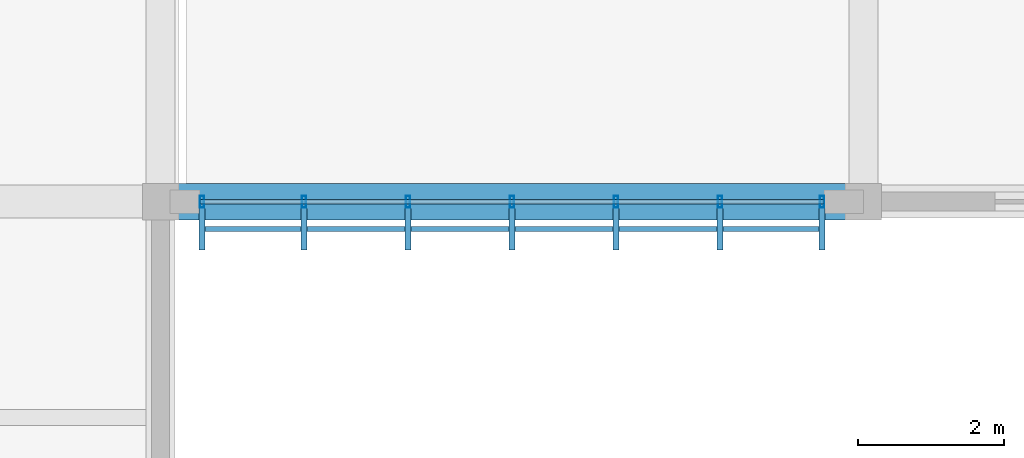
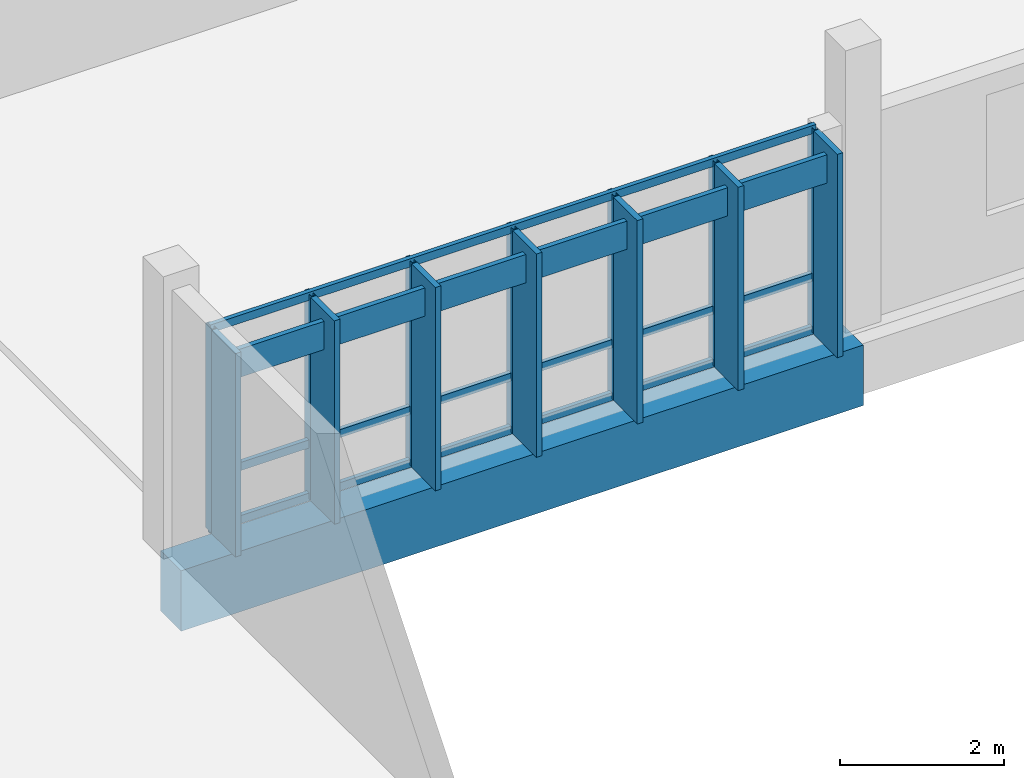
# One storey, part 39 of 107: 18 members, 1 beam, 1 element without a shape of its own.
"""IFC4 building model written with IfcOpenShell, lengths in metres."""

from ifc_helpers import new_model, si_unit, direction, frame, origin, origin_2d, place, context, subcontext, project, spatial, rectangle, hollow_rectangle, extrude, material, material_profile, profile_set, type_object, element, aggregate, save


model = new_model("IFC4")

# Units and contexts
model_context = context("Model", 3, precision=1e-05, world=origin(), true_north=direction((0.0, 1.0)))
body_context = subcontext(model_context, "Body", "Model", "MODEL_VIEW")
ifc_project = project(units=[si_unit("LENGTHUNIT", "METRE"), si_unit("AREAUNIT", "SQUARE_METRE"), si_unit("VOLUMEUNIT", "CUBIC_METRE"), si_unit("PLANEANGLEUNIT", "RADIAN"), si_unit("MASSUNIT", "GRAM", prefix="KILO")], contexts=[model_context])

# Site, building, storey
site_placement = place(None, origin())
site = spatial("IfcSite", under=ifc_project, at=site_placement, CompositionType="ELEMENT")
building_placement = place(site_placement, origin())
building = spatial("IfcBuilding", under=site, at=building_placement, Name="Chiffa Square Polytechnic", CompositionType="ELEMENT")
storey_placement = place(building_placement, frame((0.0, 0.0, 13.800048828125)))
storey = spatial("IfcBuildingStorey", under=building, at=storey_placement, Name="L03", CompositionType="ELEMENT", Elevation=13.800048828125)

# Beam
ifc_material_1 = material(Name="Concrete C40/50", Category="concrete")
ifc_material_profile_1 = material_profile(ifc_material_1, rectangle(XDim=0.5, YDim=0.89990234375, at=origin_2d()), Name="RC 500x900")
ifc_profile_set_1 = profile_set([ifc_material_profile_1], Name="Concrete C40/50")
beam_type = type_object("IfcBeamType", Name="BM-RC-500X900", PredefinedType="BEAM", material=ifc_profile_set_1)
beam_placement = place(storey_placement, frame((48.0, 103.800048828125, -0.7099609375), z_axis=(1.0, 0.0, 0.0), x_axis=(0.0, 1.0, 0.0)))
element("IfcBeam", 1, at=beam_placement, inside=storey, type_object=beam_type, Name="Primary floor girder BM-V5-L03-X-0480-1038", PredefinedType="BEAM", context=body_context, shape_type="SweptSolid", body=[
    extrude(rectangle(XDim=0.5, YDim=0.89990234375, at=origin_2d()), origin(), (0.0, 0.0, 1.0), 9.60009765625),
])

# Curtain wall, members
ifc_material_2 = material(Name="Aluminium EN AW-6060 T66 and glulam shading", Category="wood")
curtain_wall_type = type_object("IfcCurtainWallType", Name="CW-VERT-600X440", PredefinedType="USERDEFINED", material=ifc_material_2)
curtain_wall_placement = place(storey_placement, origin())
curtain_wall = element("IfcCurtainWall", 2, at=curtain_wall_placement, inside=storey, type_object=curtain_wall_type, Name="Curtain wall CW-V5-L03-225", ObjectType="CURTAIN WALL", PredefinedType="USERDEFINED")
ifc_material_3 = material(Name="Aluminium EN AW-6060 T66", Category="aluminium")
ifc_material_profile_2 = material_profile(ifc_material_3, hollow_rectangle(XDim=0.06005859375, YDim=0.159912109375, WallThickness=0.00390625, at=origin_2d()), Name="ALU 60x160x4")
ifc_profile_set_2 = profile_set([ifc_material_profile_2], Name="Aluminium EN AW-6060 T66")
member_type_1 = type_object("IfcMemberType", Name="CWM-ALU-65X150", PredefinedType="MULLION", material=ifc_profile_set_2)
member_1_placement = place(storey_placement, frame((48.56494140625, 103.800048828125, 0.0), z_axis=(0.0, 0.0, 1.0), x_axis=(1.0, 0.0, 0.0)))
member_1 = element("IfcMember", 3, at=member_1_placement, type_object=member_type_1, Name="Curtain wall mullion CW-V5-L03-225-M00", PredefinedType="MULLION", context=body_context, shape_type="SweptSolid", body=[
    extrude(hollow_rectangle(XDim=0.06005859375, YDim=0.159912109375, WallThickness=0.00390625, at=origin_2d()), origin(), (0.0, 0.0, 1.0), 3.044921875),
])
member_2_placement = place(storey_placement, frame((49.9599609375, 103.800048828125, 0.0), z_axis=(0.0, 0.0, 1.0), x_axis=(1.0, 0.0, 0.0)))
member_2 = element("IfcMember", 4, at=member_2_placement, type_object=member_type_1, Name="Curtain wall mullion CW-V5-L03-225-M01", PredefinedType="MULLION", context=body_context, shape_type="SweptSolid", body=[
    extrude(hollow_rectangle(XDim=0.06005859375, YDim=0.159912109375, WallThickness=0.00390625, at=origin_2d()), origin(), (0.0, 0.0, 1.0), 3.044921875),
])
member_3_placement = place(storey_placement, frame((51.3798828125, 103.800048828125, 0.0), z_axis=(0.0, 0.0, 1.0), x_axis=(1.0, 0.0, 0.0)))
member_3 = element("IfcMember", 5, at=member_3_placement, type_object=member_type_1, Name="Curtain wall mullion CW-V5-L03-225-M02", PredefinedType="MULLION", context=body_context, shape_type="SweptSolid", body=[
    extrude(hollow_rectangle(XDim=0.06005859375, YDim=0.159912109375, WallThickness=0.00390625, at=origin_2d()), origin(), (0.0, 0.0, 1.0), 3.044921875),
])
member_4_placement = place(storey_placement, frame((52.800048828125, 103.800048828125, 0.0), z_axis=(0.0, 0.0, 1.0), x_axis=(1.0, 0.0, 0.0)))
member_4 = element("IfcMember", 6, at=member_4_placement, type_object=member_type_1, Name="Curtain wall mullion CW-V5-L03-225-M03", PredefinedType="MULLION", context=body_context, shape_type="SweptSolid", body=[
    extrude(hollow_rectangle(XDim=0.06005859375, YDim=0.159912109375, WallThickness=0.00390625, at=origin_2d()), origin(), (0.0, 0.0, 1.0), 3.044921875),
])
member_5_placement = place(storey_placement, frame((54.219970703125, 103.800048828125, 0.0), z_axis=(0.0, 0.0, 1.0), x_axis=(1.0, 0.0, 0.0)))
member_5 = element("IfcMember", 7, at=member_5_placement, type_object=member_type_1, Name="Curtain wall mullion CW-V5-L03-225-M04", PredefinedType="MULLION", context=body_context, shape_type="SweptSolid", body=[
    extrude(hollow_rectangle(XDim=0.06005859375, YDim=0.159912109375, WallThickness=0.00390625, at=origin_2d()), origin(), (0.0, 0.0, 1.0), 3.044921875),
])
member_6_placement = place(storey_placement, frame((55.639892578125, 103.800048828125, 0.0), z_axis=(0.0, 0.0, 1.0), x_axis=(1.0, 0.0, 0.0)))
member_6 = element("IfcMember", 8, at=member_6_placement, type_object=member_type_1, Name="Curtain wall mullion CW-V5-L03-225-M05", PredefinedType="MULLION", context=body_context, shape_type="SweptSolid", body=[
    extrude(hollow_rectangle(XDim=0.06005859375, YDim=0.159912109375, WallThickness=0.00390625, at=origin_2d()), origin(), (0.0, 0.0, 1.0), 3.044921875),
])
member_7_placement = place(storey_placement, frame((57.034912109375, 103.800048828125, 0.0), z_axis=(0.0, 0.0, 1.0), x_axis=(1.0, 0.0, 0.0)))
member_7 = element("IfcMember", 9, at=member_7_placement, type_object=member_type_1, Name="Curtain wall mullion CW-V5-L03-225-M06", PredefinedType="MULLION", context=body_context, shape_type="SweptSolid", body=[
    extrude(hollow_rectangle(XDim=0.06005859375, YDim=0.159912109375, WallThickness=0.00390625, at=origin_2d()), origin(), (0.0, 0.0, 1.0), 3.044921875),
])
ifc_material_4 = material(Name="Glulam GL28h", Category="wood")
ifc_material_profile_3 = material_profile(ifc_material_4, rectangle(XDim=0.080078125, YDim=0.580078125, at=origin_2d()), Name="GL28h 80x580")
ifc_profile_set_3 = profile_set([ifc_material_profile_3], Name="Glulam GL28h")
member_type_2 = type_object("IfcMemberType", Name="CWM-GL-80X580", PredefinedType="MULLION", material=ifc_profile_set_3)
member_8_placement = place(storey_placement, frame((48.56494140625, 103.427978515625, 0.010009765625), z_axis=(0.0, 0.0, 1.0), x_axis=(1.0, 0.0, 0.0)))
member_8 = element("IfcMember", 10, at=member_8_placement, type_object=member_type_2, Name="Exterior glulam solar fin CW-V5-L03-225-FN00", PredefinedType="MULLION", context=body_context, shape_type="SweptSolid", body=[
    extrude(rectangle(XDim=0.080078125, YDim=0.580078125, at=origin_2d()), origin(), (0.0, 0.0, 1.0), 3.02490234375),
])
member_9_placement = place(storey_placement, frame((49.9599609375, 103.427978515625, 0.010009765625), z_axis=(0.0, 0.0, 1.0), x_axis=(1.0, 0.0, 0.0)))
member_9 = element("IfcMember", 11, at=member_9_placement, type_object=member_type_2, Name="Exterior glulam solar fin CW-V5-L03-225-FN01", PredefinedType="MULLION", context=body_context, shape_type="SweptSolid", body=[
    extrude(rectangle(XDim=0.080078125, YDim=0.580078125, at=origin_2d()), origin(), (0.0, 0.0, 1.0), 3.02490234375),
])
member_10_placement = place(storey_placement, frame((51.3798828125, 103.427978515625, 0.010009765625), z_axis=(0.0, 0.0, 1.0), x_axis=(1.0, 0.0, 0.0)))
member_10 = element("IfcMember", 12, at=member_10_placement, type_object=member_type_2, Name="Exterior glulam solar fin CW-V5-L03-225-FN02", PredefinedType="MULLION", context=body_context, shape_type="SweptSolid", body=[
    extrude(rectangle(XDim=0.080078125, YDim=0.580078125, at=origin_2d()), origin(), (0.0, 0.0, 1.0), 3.02490234375),
])
member_11_placement = place(storey_placement, frame((52.800048828125, 103.427978515625, 0.010009765625), z_axis=(0.0, 0.0, 1.0), x_axis=(1.0, 0.0, 0.0)))
member_11 = element("IfcMember", 13, at=member_11_placement, type_object=member_type_2, Name="Exterior glulam solar fin CW-V5-L03-225-FN03", PredefinedType="MULLION", context=body_context, shape_type="SweptSolid", body=[
    extrude(rectangle(XDim=0.080078125, YDim=0.580078125, at=origin_2d()), origin(), (0.0, 0.0, 1.0), 3.02490234375),
])
member_12_placement = place(storey_placement, frame((54.219970703125, 103.427978515625, 0.010009765625), z_axis=(0.0, 0.0, 1.0), x_axis=(1.0, 0.0, 0.0)))
member_12 = element("IfcMember", 14, at=member_12_placement, type_object=member_type_2, Name="Exterior glulam solar fin CW-V5-L03-225-FN04", PredefinedType="MULLION", context=body_context, shape_type="SweptSolid", body=[
    extrude(rectangle(XDim=0.080078125, YDim=0.580078125, at=origin_2d()), origin(), (0.0, 0.0, 1.0), 3.02490234375),
])
member_13_placement = place(storey_placement, frame((55.639892578125, 103.427978515625, 0.010009765625), z_axis=(0.0, 0.0, 1.0), x_axis=(1.0, 0.0, 0.0)))
member_13 = element("IfcMember", 15, at=member_13_placement, type_object=member_type_2, Name="Exterior glulam solar fin CW-V5-L03-225-FN05", PredefinedType="MULLION", context=body_context, shape_type="SweptSolid", body=[
    extrude(rectangle(XDim=0.080078125, YDim=0.580078125, at=origin_2d()), origin(), (0.0, 0.0, 1.0), 3.02490234375),
])
member_14_placement = place(storey_placement, frame((57.034912109375, 103.427978515625, 0.010009765625), z_axis=(0.0, 0.0, 1.0), x_axis=(1.0, 0.0, 0.0)))
member_14 = element("IfcMember", 16, at=member_14_placement, type_object=member_type_2, Name="Exterior glulam solar fin CW-V5-L03-225-FN06", PredefinedType="MULLION", context=body_context, shape_type="SweptSolid", body=[
    extrude(rectangle(XDim=0.080078125, YDim=0.580078125, at=origin_2d()), origin(), (0.0, 0.0, 1.0), 3.02490234375),
])
ifc_material_profile_4 = material_profile(ifc_material_3, hollow_rectangle(XDim=0.06005859375, YDim=0.1201171875, WallThickness=0.00390625, at=origin_2d()), Name="ALU 60x120x4")
ifc_profile_set_4 = profile_set([ifc_material_profile_4], Name="Aluminium EN AW-6060 T66")
member_type_3 = type_object("IfcMemberType", Name="CWT-ALU-65X120", PredefinedType="USERDEFINED", material=ifc_profile_set_4)
member_15_placement = place(storey_placement, frame((48.5380859375, 103.800048828125, 0.030029296875), z_axis=(1.0, 0.0, 0.0), x_axis=(0.0, 1.0, 0.0)))
member_15 = element("IfcMember", 17, at=member_15_placement, type_object=member_type_3, Name="Curtain wall transom CW-V5-L03-225-T01", ObjectType="TRANSOM", PredefinedType="USERDEFINED", context=body_context, shape_type="SweptSolid", body=[
    extrude(hollow_rectangle(XDim=0.06005859375, YDim=0.1201171875, WallThickness=0.00390625, at=origin_2d()), origin(), (0.0, 0.0, 1.0), 8.52392578125),
])
member_16_placement = place(storey_placement, frame((48.5380859375, 103.800048828125, 0.820068359375), z_axis=(1.0, 0.0, 0.0), x_axis=(0.0, 1.0, 0.0)))
member_16 = element("IfcMember", 18, at=member_16_placement, type_object=member_type_3, Name="Curtain wall transom CW-V5-L03-225-T02", ObjectType="TRANSOM", PredefinedType="USERDEFINED", context=body_context, shape_type="SweptSolid", body=[
    extrude(hollow_rectangle(XDim=0.06005859375, YDim=0.1201171875, WallThickness=0.00390625, at=origin_2d()), origin(), (0.0, 0.0, 1.0), 8.52392578125),
])
member_17_placement = place(storey_placement, frame((48.5380859375, 103.800048828125, 3.014892578125), z_axis=(1.0, 0.0, 0.0), x_axis=(0.0, 1.0, 0.0)))
member_17 = element("IfcMember", 19, at=member_17_placement, type_object=member_type_3, Name="Curtain wall transom CW-V5-L03-225-T03", ObjectType="TRANSOM", PredefinedType="USERDEFINED", context=body_context, shape_type="SweptSolid", body=[
    extrude(hollow_rectangle(XDim=0.06005859375, YDim=0.1201171875, WallThickness=0.00390625, at=origin_2d()), origin(), (0.0, 0.0, 1.0), 8.52392578125),
])
ifc_material_profile_5 = material_profile(ifc_material_4, rectangle(XDim=0.070068359375, YDim=0.419921875, at=origin_2d()), Name="GL28h 70x420")
ifc_profile_set_5 = profile_set([ifc_material_profile_5], Name="Glulam GL28h")
member_type_4 = type_object("IfcMemberType", Name="CWT-GL-70X420", PredefinedType="USERDEFINED", material=ifc_profile_set_5)
member_18_placement = place(storey_placement, frame((48.56494140625, 103.427978515625, 2.6650390625), z_axis=(1.0, 0.0, 0.0), x_axis=(0.0, 1.0, 0.0)))
member_18 = element("IfcMember", 20, at=member_18_placement, type_object=member_type_4, Name="Exterior glulam brise-soleil CW-V5-L03-225-BS01", ObjectType="TRANSOM", PredefinedType="USERDEFINED", context=body_context, shape_type="SweptSolid", body=[
    extrude(rectangle(XDim=0.070068359375, YDim=0.419921875, at=origin_2d()), origin(), (0.0, 0.0, 1.0), 8.469970703125),
])
aggregate(curtain_wall, [member_1, member_8, member_2, member_9, member_3, member_10, member_4, member_11, member_5, member_12, member_6, member_13, member_7, member_14, member_15, member_16, member_17, member_18])

save(model, "model.ifc")
